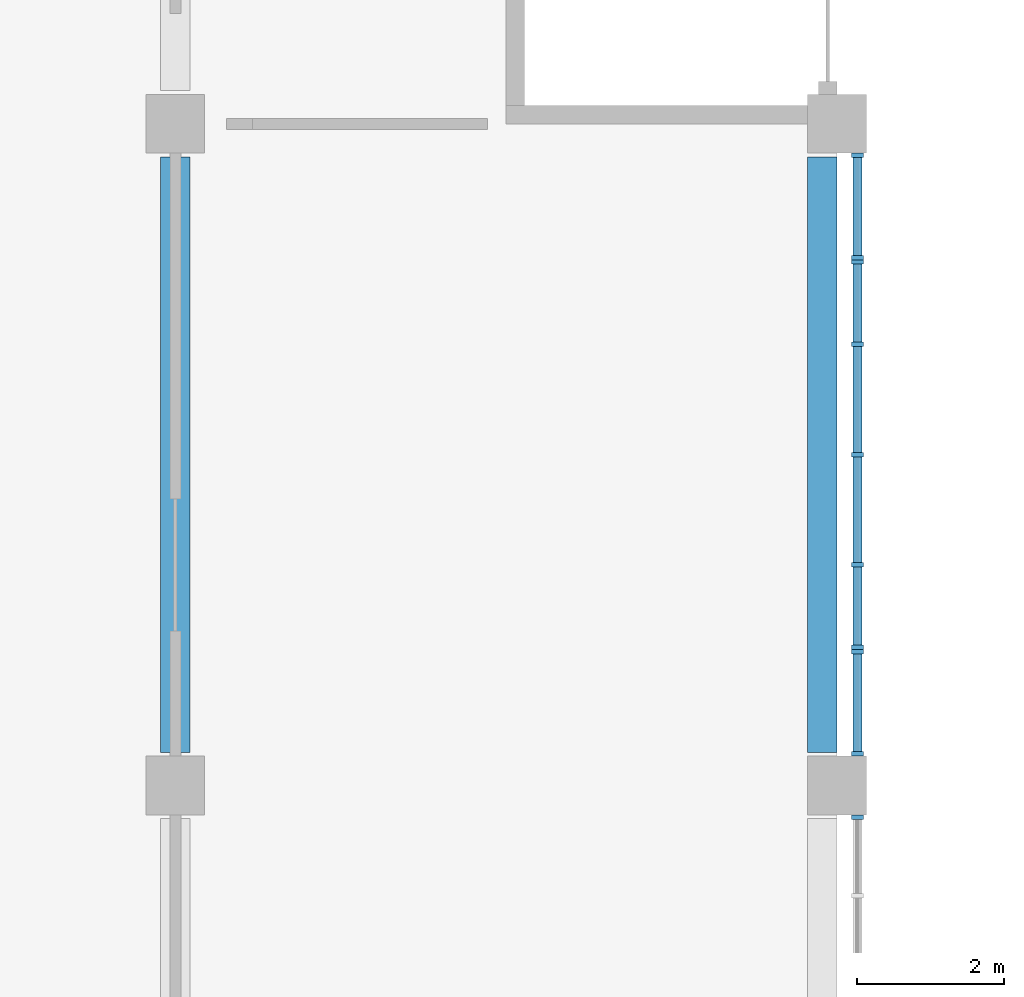
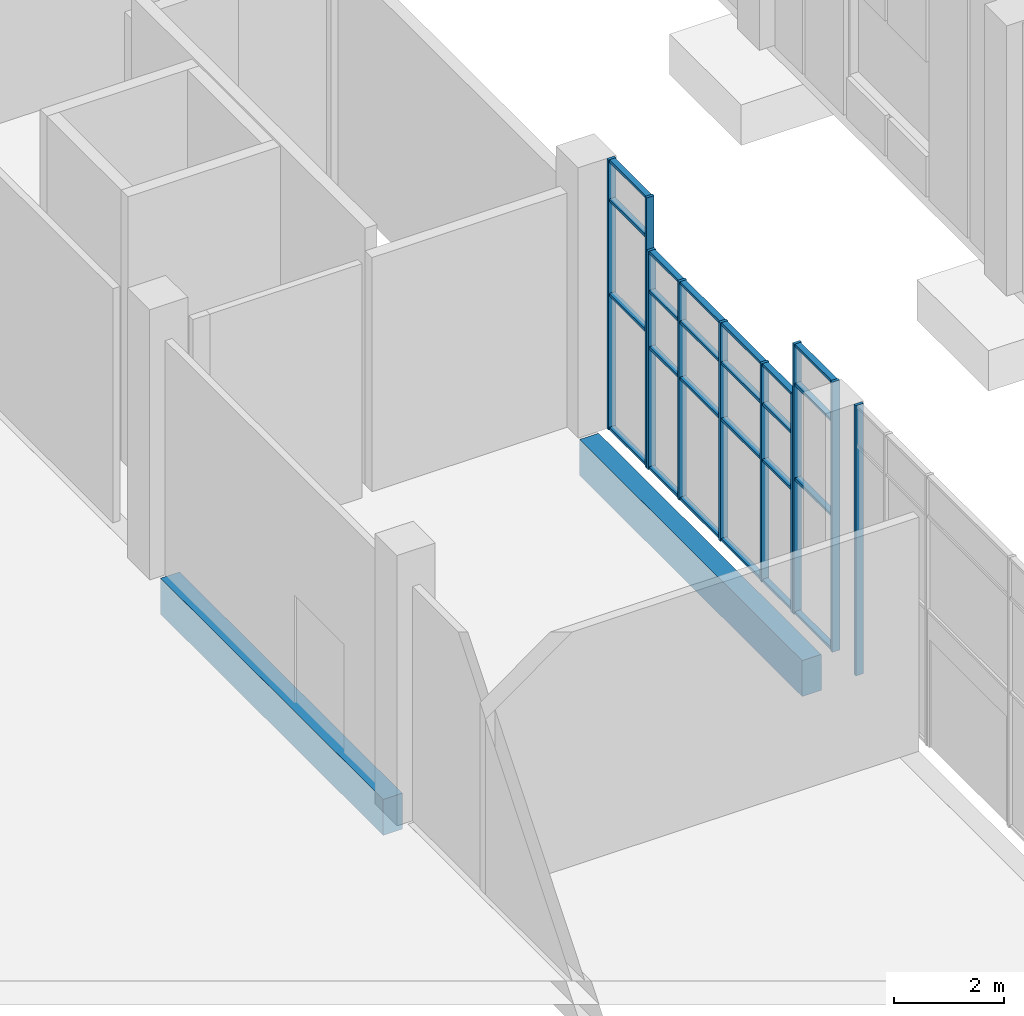
# One storey, part 22 of 86: 34 members, 2 beams, 4 elements without a shape of their own.
"""IFC4 building model written with IfcOpenShell, lengths in metres."""

from ifc_helpers import new_model, si_unit, direction, frame, origin, origin_2d, place, context, subcontext, project, spatial, rectangle, extrude, material, layer, layer_set, material_profile, profile_set, type_object, element, aggregate, save


model = new_model("IFC4")

# Units and contexts
model_context = context("Model", 3, precision=1e-05, world=origin(), true_north=direction((0.0, 1.0)))
body_context = subcontext(model_context, "Body", "Model", "MODEL_VIEW")
ifc_project = project(units=[si_unit("LENGTHUNIT", "METRE"), si_unit("AREAUNIT", "SQUARE_METRE"), si_unit("VOLUMEUNIT", "CUBIC_METRE"), si_unit("PLANEANGLEUNIT", "RADIAN"), si_unit("MASSUNIT", "GRAM", prefix="KILO")], contexts=[model_context])

# Site, building, storey
site_placement = place(None, origin())
site = spatial("IfcSite", under=ifc_project, at=site_placement, CompositionType="ELEMENT")
building_placement = place(site_placement, origin())
building = spatial("IfcBuilding", under=site, at=building_placement, Name="Guidao Yard Department Store", CompositionType="ELEMENT")
storey_placement = place(building_placement, origin())
storey = spatial("IfcBuildingStorey", under=building, at=storey_placement, Name="L00", CompositionType="ELEMENT", Elevation=0.0)

# Beam
ifc_material_1 = material(Name="Concrete C40", Category="concrete")
ifc_material_profile_1 = material_profile(ifc_material_1, rectangle(XDim=0.39990234375, YDim=0.800048828125, at=origin_2d()), Name="Edge beam 400 x 800 C40")
ifc_profile_set_1 = profile_set([ifc_material_profile_1], Name="Concrete C40")
beam_type_1 = type_object("IfcBeamType", Name="Edge beam 400 x 800 C40", PredefinedType="BEAM", material=ifc_profile_set_1)
beam_1_placement = place(storey_placement, frame((99.0, 81.449951171875, -0.39990234375), z_axis=(0.0, 1.0, 0.0), x_axis=(-1.0, 0.0, 0.0)))
element("IfcBeam", 1, at=beam_1_placement, inside=storey, type_object=beam_type_1, Name="Beam EB66", PredefinedType="BEAM", context=body_context, shape_type="SweptSolid", body=[
    extrude(rectangle(XDim=0.39990234375, YDim=0.800048828125, at=origin_2d()), origin(), (0.0, 0.0, 1.0), 8.10009765625),
])

# Curtain wall, member
ifc_material_2 = material(Name="Aluminium and glass", Category="aluminium")
ifc_layer = layer(ifc_material_2, 0.159912109375)
ifc_layer_set = layer_set([ifc_layer], Name="Shopfront curtain wall CW1 1500 module")
curtain_wall_type = type_object("IfcCurtainWallType", Name="Shopfront curtain wall CW1 1500 module", PredefinedType="NOTDEFINED", material=ifc_layer_set)
curtain_wall_1_placement = place(storey_placement, origin())
curtain_wall_1 = element("IfcCurtainWall", 2, at=curtain_wall_1_placement, inside=storey, type_object=curtain_wall_type, Name="Arcade shop front", PredefinedType="NOTDEFINED")
ifc_material_3 = material(Name="Aluminium 6063-T5", Category="aluminium")
ifc_material_profile_2 = material_profile(ifc_material_3, rectangle(XDim=0.06005859375, YDim=0.159912109375, at=origin_2d()), Name="Mullion M1 60 x 160 aluminium pressure plate")
ifc_profile_set_2 = profile_set([ifc_material_profile_2], Name="Aluminium 6063-T5")
member_type_1 = type_object("IfcMemberType", Name="Mullion M1 60 x 160 aluminium pressure plate", PredefinedType="MULLION", material=ifc_profile_set_2)
member_1_placement = place(storey_placement, frame((108.280029296875, 80.570068359375, 0.0), z_axis=(0.0, 0.0, 1.0), x_axis=(0.0, -1.0, 0.0)))
member_1 = element("IfcMember", 3, at=member_1_placement, type_object=member_type_1, Name="CW-AS-L00-16 mullion 6", PredefinedType="MULLION", context=body_context, shape_type="SweptSolid", body=[
    extrude(rectangle(XDim=0.06005859375, YDim=0.159912109375, at=origin_2d()), origin(), (0.0, 0.0, 1.0), 6.0),
])
aggregate(curtain_wall_1, [member_1])

# Curtain wall, members
curtain_wall_2_placement = place(storey_placement, origin())
curtain_wall_2 = element("IfcCurtainWall", 4, at=curtain_wall_2_placement, inside=storey, type_object=curtain_wall_type, Name="Arcade shop front", PredefinedType="NOTDEFINED")
member_2_placement = place(storey_placement, frame((108.280029296875, 81.429931640625, 0.0), z_axis=(0.0, 0.0, 1.0), x_axis=(0.0, -1.0, 0.0)))
member_2 = element("IfcMember", 5, at=member_2_placement, type_object=member_type_1, Name="CW-AS-L00-17 mullion 1", PredefinedType="MULLION", context=body_context, shape_type="SweptSolid", body=[
    extrude(rectangle(XDim=0.06005859375, YDim=0.159912109375, at=origin_2d()), origin(), (0.0, 0.0, 1.0), 6.0),
])
member_3_placement = place(storey_placement, frame((108.280029296875, 82.820068359375, 0.0), z_axis=(0.0, 0.0, 1.0), x_axis=(0.0, -1.0, 0.0)))
member_3 = element("IfcMember", 6, at=member_3_placement, type_object=member_type_1, Name="CW-AS-L00-17 mullion 2", PredefinedType="MULLION", context=body_context, shape_type="SweptSolid", body=[
    extrude(rectangle(XDim=0.06005859375, YDim=0.159912109375, at=origin_2d()), origin(), (0.0, 0.0, 1.0), 6.0),
])

curtain_wall_3_placement = place(storey_placement, origin())
curtain_wall_3 = element("IfcCurtainWall", 7, at=curtain_wall_3_placement, inside=storey, type_object=curtain_wall_type, Name="Arcade shop front", PredefinedType="NOTDEFINED")
member_4_placement = place(storey_placement, frame((108.280029296875, 82.8798828125, 0.0), z_axis=(0.0, 0.0, 1.0), x_axis=(0.0, -1.0, 0.0)))
member_4 = element("IfcMember", 8, at=member_4_placement, type_object=member_type_1, Name="CW-AS-L00-18 mullion 1", PredefinedType="MULLION", context=body_context, shape_type="SweptSolid", body=[
    extrude(rectangle(XDim=0.06005859375, YDim=0.159912109375, at=origin_2d()), origin(), (0.0, 0.0, 1.0), 4.85009765625),
])
member_5_placement = place(storey_placement, frame((108.280029296875, 84.0, 0.0), z_axis=(0.0, 0.0, 1.0), x_axis=(0.0, -1.0, 0.0)))
member_5 = element("IfcMember", 9, at=member_5_placement, type_object=member_type_1, Name="CW-AS-L00-18 mullion 2", PredefinedType="MULLION", context=body_context, shape_type="SweptSolid", body=[
    extrude(rectangle(XDim=0.06005859375, YDim=0.159912109375, at=origin_2d()), origin(), (0.0, 0.0, 1.0), 4.85009765625),
])
member_6_placement = place(storey_placement, frame((108.280029296875, 85.5, 0.0), z_axis=(0.0, 0.0, 1.0), x_axis=(0.0, -1.0, 0.0)))
member_6 = element("IfcMember", 10, at=member_6_placement, type_object=member_type_1, Name="CW-AS-L00-18 mullion 3", PredefinedType="MULLION", context=body_context, shape_type="SweptSolid", body=[
    extrude(rectangle(XDim=0.06005859375, YDim=0.159912109375, at=origin_2d()), origin(), (0.0, 0.0, 1.0), 4.85009765625),
])
member_7_placement = place(storey_placement, frame((108.280029296875, 87.0, 0.0), z_axis=(0.0, 0.0, 1.0), x_axis=(0.0, -1.0, 0.0)))
member_7 = element("IfcMember", 11, at=member_7_placement, type_object=member_type_1, Name="CW-AS-L00-18 mullion 4", PredefinedType="MULLION", context=body_context, shape_type="SweptSolid", body=[
    extrude(rectangle(XDim=0.06005859375, YDim=0.159912109375, at=origin_2d()), origin(), (0.0, 0.0, 1.0), 4.85009765625),
])
member_8_placement = place(storey_placement, frame((108.280029296875, 88.1201171875, 0.0), z_axis=(0.0, 0.0, 1.0), x_axis=(0.0, -1.0, 0.0)))
member_8 = element("IfcMember", 12, at=member_8_placement, type_object=member_type_1, Name="CW-AS-L00-18 mullion 5", PredefinedType="MULLION", context=body_context, shape_type="SweptSolid", body=[
    extrude(rectangle(XDim=0.06005859375, YDim=0.159912109375, at=origin_2d()), origin(), (0.0, 0.0, 1.0), 4.85009765625),
])

curtain_wall_4_placement = place(storey_placement, origin())
curtain_wall_4 = element("IfcCurtainWall", 13, at=curtain_wall_4_placement, inside=storey, type_object=curtain_wall_type, Name="Arcade shop front", PredefinedType="NOTDEFINED")
member_9_placement = place(storey_placement, frame((108.280029296875, 88.179931640625, 0.0), z_axis=(0.0, 0.0, 1.0), x_axis=(0.0, -1.0, 0.0)))
member_9 = element("IfcMember", 14, at=member_9_placement, type_object=member_type_1, Name="CW-AS-L00-19 mullion 1", PredefinedType="MULLION", context=body_context, shape_type="SweptSolid", body=[
    extrude(rectangle(XDim=0.06005859375, YDim=0.159912109375, at=origin_2d()), origin(), (0.0, 0.0, 1.0), 6.0),
])
member_10_placement = place(storey_placement, frame((108.280029296875, 89.570068359375, 0.0), z_axis=(0.0, 0.0, 1.0), x_axis=(0.0, -1.0, 0.0)))
member_10 = element("IfcMember", 15, at=member_10_placement, type_object=member_type_1, Name="CW-AS-L00-19 mullion 2", PredefinedType="MULLION", context=body_context, shape_type="SweptSolid", body=[
    extrude(rectangle(XDim=0.06005859375, YDim=0.159912109375, at=origin_2d()), origin(), (0.0, 0.0, 1.0), 6.0),
])

# Beam
ifc_material_4 = material(Name="Concrete C40", Category="concrete")
ifc_material_profile_3 = material_profile(ifc_material_4, rectangle(XDim=0.39990234375, YDim=0.800048828125, at=origin_2d()), Name="Spandrel beam 400 x 800 C40")
ifc_profile_set_3 = profile_set([ifc_material_profile_3], Name="Concrete C40")
beam_type_2 = type_object("IfcBeamType", Name="Spandrel beam 400 x 800 C40", PredefinedType="SPANDREL", material=ifc_profile_set_3)
beam_2_placement = place(storey_placement, frame((107.800048828125, 81.449951171875, -0.39990234375), z_axis=(0.0, 1.0, 0.0), x_axis=(-1.0, 0.0, 0.0)))
element("IfcBeam", 16, at=beam_2_placement, inside=storey, type_object=beam_type_2, Name="Beam EB50", PredefinedType="SPANDREL", context=body_context, shape_type="SweptSolid", body=[
    extrude(rectangle(XDim=0.39990234375, YDim=0.800048828125, at=origin_2d()), origin(), (0.0, 0.0, 1.0), 8.10009765625),
])

# Member
ifc_material_5 = material(Name="Aluminium 6063-T5", Category="aluminium")
ifc_material_profile_4 = material_profile(ifc_material_5, rectangle(XDim=0.1201171875, YDim=0.06005859375, at=origin_2d()), Name="Transom T1 60 x 120 aluminium pressure plate")
ifc_profile_set_4 = profile_set([ifc_material_profile_4], Name="Aluminium 6063-T5")
member_type_2 = type_object("IfcMemberType", Name="Transom T1 60 x 120 aluminium pressure plate", PredefinedType="USERDEFINED", material=ifc_profile_set_4)
member_11_placement = place(storey_placement, frame((108.280029296875, 82.7900390625, 0.030029296875), z_axis=(0.0, -1.0, 0.0), x_axis=(1.0, 0.0, 0.0)))
member_11 = element("IfcMember", 17, at=member_11_placement, type_object=member_type_2, Name="CW-AS-L00-17 transom 1.1", ObjectType="TRANSOM", PredefinedType="USERDEFINED", context=body_context, shape_type="SweptSolid", body=[
    extrude(rectangle(XDim=0.1201171875, YDim=0.06005859375, at=origin_2d()), origin(), (0.0, 0.0, 1.0), 1.330078125),
])

member_12_placement = place(storey_placement, frame((108.280029296875, 82.7900390625, 3.0), z_axis=(0.0, -1.0, 0.0), x_axis=(1.0, 0.0, 0.0)))
member_12 = element("IfcMember", 18, at=member_12_placement, type_object=member_type_2, Name="CW-AS-L00-17 transom 1.2", ObjectType="TRANSOM", PredefinedType="USERDEFINED", context=body_context, shape_type="SweptSolid", body=[
    extrude(rectangle(XDim=0.1201171875, YDim=0.06005859375, at=origin_2d()), origin(), (0.0, 0.0, 1.0), 1.330078125),
])

member_13_placement = place(storey_placement, frame((108.280029296875, 82.7900390625, 5.10009765625), z_axis=(0.0, -1.0, 0.0), x_axis=(1.0, 0.0, 0.0)))
member_13 = element("IfcMember", 19, at=member_13_placement, type_object=member_type_2, Name="CW-AS-L00-17 transom 1.3", ObjectType="TRANSOM", PredefinedType="USERDEFINED", context=body_context, shape_type="SweptSolid", body=[
    extrude(rectangle(XDim=0.1201171875, YDim=0.06005859375, at=origin_2d()), origin(), (0.0, 0.0, 1.0), 1.330078125),
])

member_14_placement = place(storey_placement, frame((108.280029296875, 82.7900390625, 5.969970703125), z_axis=(0.0, -1.0, 0.0), x_axis=(1.0, 0.0, 0.0)))
member_14 = element("IfcMember", 20, at=member_14_placement, type_object=member_type_2, Name="CW-AS-L00-17 transom 1.4", ObjectType="TRANSOM", PredefinedType="USERDEFINED", context=body_context, shape_type="SweptSolid", body=[
    extrude(rectangle(XDim=0.1201171875, YDim=0.06005859375, at=origin_2d()), origin(), (0.0, 0.0, 1.0), 1.330078125),
])

aggregate(curtain_wall_2, [member_2, member_3, member_11, member_12, member_13, member_14])

member_15_placement = place(storey_placement, frame((108.280029296875, 83.969970703125, 0.030029296875), z_axis=(0.0, -1.0, 0.0), x_axis=(1.0, 0.0, 0.0)))
member_15 = element("IfcMember", 21, at=member_15_placement, type_object=member_type_2, Name="CW-AS-L00-18 transom 1.1", ObjectType="TRANSOM", PredefinedType="USERDEFINED", context=body_context, shape_type="SweptSolid", body=[
    extrude(rectangle(XDim=0.1201171875, YDim=0.06005859375, at=origin_2d()), origin(), (0.0, 0.0, 1.0), 1.06005859375),
])

member_16_placement = place(storey_placement, frame((108.280029296875, 83.969970703125, 2.699951171875), z_axis=(0.0, -1.0, 0.0), x_axis=(1.0, 0.0, 0.0)))
member_16 = element("IfcMember", 22, at=member_16_placement, type_object=member_type_2, Name="CW-AS-L00-18 transom 1.2", ObjectType="TRANSOM", PredefinedType="USERDEFINED", context=body_context, shape_type="SweptSolid", body=[
    extrude(rectangle(XDim=0.1201171875, YDim=0.06005859375, at=origin_2d()), origin(), (0.0, 0.0, 1.0), 1.06005859375),
])

member_17_placement = place(storey_placement, frame((108.280029296875, 83.969970703125, 3.949951171875), z_axis=(0.0, -1.0, 0.0), x_axis=(1.0, 0.0, 0.0)))
member_17 = element("IfcMember", 23, at=member_17_placement, type_object=member_type_2, Name="CW-AS-L00-18 transom 1.3", ObjectType="TRANSOM", PredefinedType="USERDEFINED", context=body_context, shape_type="SweptSolid", body=[
    extrude(rectangle(XDim=0.1201171875, YDim=0.06005859375, at=origin_2d()), origin(), (0.0, 0.0, 1.0), 1.06005859375),
])

member_18_placement = place(storey_placement, frame((108.280029296875, 83.969970703125, 4.820068359375), z_axis=(0.0, -1.0, 0.0), x_axis=(1.0, 0.0, 0.0)))
member_18 = element("IfcMember", 24, at=member_18_placement, type_object=member_type_2, Name="CW-AS-L00-18 transom 1.4", ObjectType="TRANSOM", PredefinedType="USERDEFINED", context=body_context, shape_type="SweptSolid", body=[
    extrude(rectangle(XDim=0.1201171875, YDim=0.06005859375, at=origin_2d()), origin(), (0.0, 0.0, 1.0), 1.06005859375),
])

member_19_placement = place(storey_placement, frame((108.280029296875, 85.469970703125, 0.030029296875), z_axis=(0.0, -1.0, 0.0), x_axis=(1.0, 0.0, 0.0)))
member_19 = element("IfcMember", 25, at=member_19_placement, type_object=member_type_2, Name="CW-AS-L00-18 transom 2.1", ObjectType="TRANSOM", PredefinedType="USERDEFINED", context=body_context, shape_type="SweptSolid", body=[
    extrude(rectangle(XDim=0.1201171875, YDim=0.06005859375, at=origin_2d()), origin(), (0.0, 0.0, 1.0), 1.43994140625),
])

member_20_placement = place(storey_placement, frame((108.280029296875, 85.469970703125, 2.699951171875), z_axis=(0.0, -1.0, 0.0), x_axis=(1.0, 0.0, 0.0)))
member_20 = element("IfcMember", 26, at=member_20_placement, type_object=member_type_2, Name="CW-AS-L00-18 transom 2.2", ObjectType="TRANSOM", PredefinedType="USERDEFINED", context=body_context, shape_type="SweptSolid", body=[
    extrude(rectangle(XDim=0.1201171875, YDim=0.06005859375, at=origin_2d()), origin(), (0.0, 0.0, 1.0), 1.43994140625),
])

member_21_placement = place(storey_placement, frame((108.280029296875, 85.469970703125, 3.949951171875), z_axis=(0.0, -1.0, 0.0), x_axis=(1.0, 0.0, 0.0)))
member_21 = element("IfcMember", 27, at=member_21_placement, type_object=member_type_2, Name="CW-AS-L00-18 transom 2.3", ObjectType="TRANSOM", PredefinedType="USERDEFINED", context=body_context, shape_type="SweptSolid", body=[
    extrude(rectangle(XDim=0.1201171875, YDim=0.06005859375, at=origin_2d()), origin(), (0.0, 0.0, 1.0), 1.43994140625),
])

member_22_placement = place(storey_placement, frame((108.280029296875, 85.469970703125, 4.820068359375), z_axis=(0.0, -1.0, 0.0), x_axis=(1.0, 0.0, 0.0)))
member_22 = element("IfcMember", 28, at=member_22_placement, type_object=member_type_2, Name="CW-AS-L00-18 transom 2.4", ObjectType="TRANSOM", PredefinedType="USERDEFINED", context=body_context, shape_type="SweptSolid", body=[
    extrude(rectangle(XDim=0.1201171875, YDim=0.06005859375, at=origin_2d()), origin(), (0.0, 0.0, 1.0), 1.43994140625),
])

member_23_placement = place(storey_placement, frame((108.280029296875, 86.969970703125, 0.030029296875), z_axis=(0.0, -1.0, 0.0), x_axis=(1.0, 0.0, 0.0)))
member_23 = element("IfcMember", 29, at=member_23_placement, type_object=member_type_2, Name="CW-AS-L00-18 transom 3.1", ObjectType="TRANSOM", PredefinedType="USERDEFINED", context=body_context, shape_type="SweptSolid", body=[
    extrude(rectangle(XDim=0.1201171875, YDim=0.06005859375, at=origin_2d()), origin(), (0.0, 0.0, 1.0), 1.43994140625),
])

member_24_placement = place(storey_placement, frame((108.280029296875, 86.969970703125, 2.699951171875), z_axis=(0.0, -1.0, 0.0), x_axis=(1.0, 0.0, 0.0)))
member_24 = element("IfcMember", 30, at=member_24_placement, type_object=member_type_2, Name="CW-AS-L00-18 transom 3.2", ObjectType="TRANSOM", PredefinedType="USERDEFINED", context=body_context, shape_type="SweptSolid", body=[
    extrude(rectangle(XDim=0.1201171875, YDim=0.06005859375, at=origin_2d()), origin(), (0.0, 0.0, 1.0), 1.43994140625),
])

member_25_placement = place(storey_placement, frame((108.280029296875, 86.969970703125, 3.949951171875), z_axis=(0.0, -1.0, 0.0), x_axis=(1.0, 0.0, 0.0)))
member_25 = element("IfcMember", 31, at=member_25_placement, type_object=member_type_2, Name="CW-AS-L00-18 transom 3.3", ObjectType="TRANSOM", PredefinedType="USERDEFINED", context=body_context, shape_type="SweptSolid", body=[
    extrude(rectangle(XDim=0.1201171875, YDim=0.06005859375, at=origin_2d()), origin(), (0.0, 0.0, 1.0), 1.43994140625),
])

member_26_placement = place(storey_placement, frame((108.280029296875, 86.969970703125, 4.820068359375), z_axis=(0.0, -1.0, 0.0), x_axis=(1.0, 0.0, 0.0)))
member_26 = element("IfcMember", 32, at=member_26_placement, type_object=member_type_2, Name="CW-AS-L00-18 transom 3.4", ObjectType="TRANSOM", PredefinedType="USERDEFINED", context=body_context, shape_type="SweptSolid", body=[
    extrude(rectangle(XDim=0.1201171875, YDim=0.06005859375, at=origin_2d()), origin(), (0.0, 0.0, 1.0), 1.43994140625),
])

member_27_placement = place(storey_placement, frame((108.280029296875, 88.090087890625, 0.030029296875), z_axis=(0.0, -1.0, 0.0), x_axis=(1.0, 0.0, 0.0)))
member_27 = element("IfcMember", 33, at=member_27_placement, type_object=member_type_2, Name="CW-AS-L00-18 transom 4.1", ObjectType="TRANSOM", PredefinedType="USERDEFINED", context=body_context, shape_type="SweptSolid", body=[
    extrude(rectangle(XDim=0.1201171875, YDim=0.06005859375, at=origin_2d()), origin(), (0.0, 0.0, 1.0), 1.06005859375),
])

member_28_placement = place(storey_placement, frame((108.280029296875, 88.090087890625, 2.699951171875), z_axis=(0.0, -1.0, 0.0), x_axis=(1.0, 0.0, 0.0)))
member_28 = element("IfcMember", 34, at=member_28_placement, type_object=member_type_2, Name="CW-AS-L00-18 transom 4.2", ObjectType="TRANSOM", PredefinedType="USERDEFINED", context=body_context, shape_type="SweptSolid", body=[
    extrude(rectangle(XDim=0.1201171875, YDim=0.06005859375, at=origin_2d()), origin(), (0.0, 0.0, 1.0), 1.06005859375),
])

member_29_placement = place(storey_placement, frame((108.280029296875, 88.090087890625, 3.949951171875), z_axis=(0.0, -1.0, 0.0), x_axis=(1.0, 0.0, 0.0)))
member_29 = element("IfcMember", 35, at=member_29_placement, type_object=member_type_2, Name="CW-AS-L00-18 transom 4.3", ObjectType="TRANSOM", PredefinedType="USERDEFINED", context=body_context, shape_type="SweptSolid", body=[
    extrude(rectangle(XDim=0.1201171875, YDim=0.06005859375, at=origin_2d()), origin(), (0.0, 0.0, 1.0), 1.06005859375),
])

member_30_placement = place(storey_placement, frame((108.280029296875, 88.090087890625, 4.820068359375), z_axis=(0.0, -1.0, 0.0), x_axis=(1.0, 0.0, 0.0)))
member_30 = element("IfcMember", 36, at=member_30_placement, type_object=member_type_2, Name="CW-AS-L00-18 transom 4.4", ObjectType="TRANSOM", PredefinedType="USERDEFINED", context=body_context, shape_type="SweptSolid", body=[
    extrude(rectangle(XDim=0.1201171875, YDim=0.06005859375, at=origin_2d()), origin(), (0.0, 0.0, 1.0), 1.06005859375),
])

aggregate(curtain_wall_3, [member_4, member_5, member_6, member_7, member_8, member_15, member_16, member_17, member_18, member_19, member_20, member_21, member_22, member_23, member_24, member_25, member_26, member_27, member_28, member_29, member_30])

member_31_placement = place(storey_placement, frame((108.280029296875, 89.5400390625, 0.030029296875), z_axis=(0.0, -1.0, 0.0), x_axis=(1.0, 0.0, 0.0)))
member_31 = element("IfcMember", 37, at=member_31_placement, type_object=member_type_2, Name="CW-AS-L00-19 transom 1.1", ObjectType="TRANSOM", PredefinedType="USERDEFINED", context=body_context, shape_type="SweptSolid", body=[
    extrude(rectangle(XDim=0.1201171875, YDim=0.06005859375, at=origin_2d()), origin(), (0.0, 0.0, 1.0), 1.330078125),
])

member_32_placement = place(storey_placement, frame((108.280029296875, 89.5400390625, 3.0), z_axis=(0.0, -1.0, 0.0), x_axis=(1.0, 0.0, 0.0)))
member_32 = element("IfcMember", 38, at=member_32_placement, type_object=member_type_2, Name="CW-AS-L00-19 transom 1.2", ObjectType="TRANSOM", PredefinedType="USERDEFINED", context=body_context, shape_type="SweptSolid", body=[
    extrude(rectangle(XDim=0.1201171875, YDim=0.06005859375, at=origin_2d()), origin(), (0.0, 0.0, 1.0), 1.330078125),
])

member_33_placement = place(storey_placement, frame((108.280029296875, 89.5400390625, 5.10009765625), z_axis=(0.0, -1.0, 0.0), x_axis=(1.0, 0.0, 0.0)))
member_33 = element("IfcMember", 39, at=member_33_placement, type_object=member_type_2, Name="CW-AS-L00-19 transom 1.3", ObjectType="TRANSOM", PredefinedType="USERDEFINED", context=body_context, shape_type="SweptSolid", body=[
    extrude(rectangle(XDim=0.1201171875, YDim=0.06005859375, at=origin_2d()), origin(), (0.0, 0.0, 1.0), 1.330078125),
])

member_34_placement = place(storey_placement, frame((108.280029296875, 89.5400390625, 5.969970703125), z_axis=(0.0, -1.0, 0.0), x_axis=(1.0, 0.0, 0.0)))
member_34 = element("IfcMember", 40, at=member_34_placement, type_object=member_type_2, Name="CW-AS-L00-19 transom 1.4", ObjectType="TRANSOM", PredefinedType="USERDEFINED", context=body_context, shape_type="SweptSolid", body=[
    extrude(rectangle(XDim=0.1201171875, YDim=0.06005859375, at=origin_2d()), origin(), (0.0, 0.0, 1.0), 1.330078125),
])

aggregate(curtain_wall_4, [member_9, member_10, member_31, member_32, member_33, member_34])

save(model, "model.ifc")
